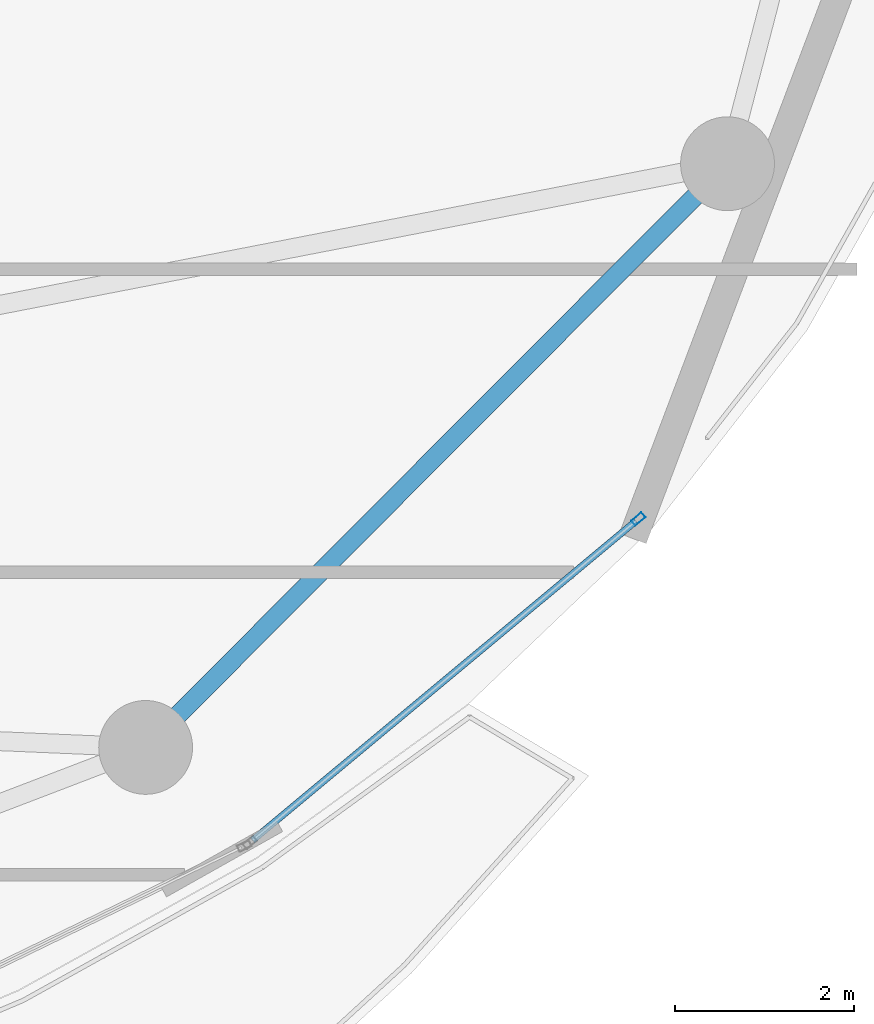
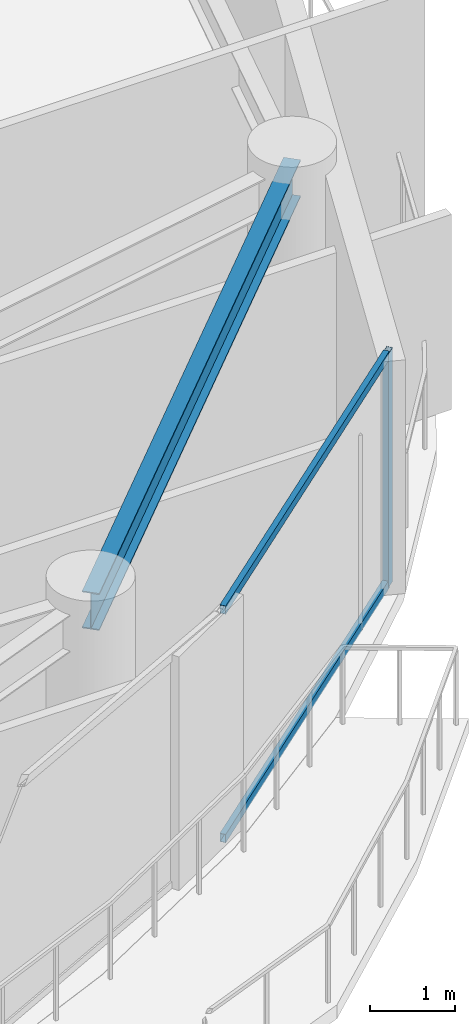
# One storey, part 14 of 31: 3 members, 1 beam, 1 element without a shape of its own.
"""IFC4 building model written with IfcOpenShell, lengths in metres."""

import ifcopenshell
import ifcopenshell.guid

model = None  # the IFC model being written
_history = None  # IfcOwnerHistory: only IFC2X3 demands one
_inside = {}  # id of a spatial element -> (the spatial element, [elements in it])
_under = {}  # id of a project, library or spatial element -> (it, [spatial elements below it])
_declared = {}  # id of a project -> (the project, [libraries it declares])
_typed = {}  # id of a type object -> (the type object, [elements of that type])
_made_of = {}  # id of a material, layer set ... -> (it, [elements and type objects made of it])


def new_model(schema):
    """Start an empty IFC model of exactly this schema.

    Asked for "IFC4X3", IfcOpenShell would pick the latest addendum, in which some entities
    have other attributes; the version numbers below select the first issue.
    IFC2X3 requires an IfcOwnerHistory on every rooted entity: one is made here for all.
    """
    global model, _history
    if schema == "IFC4X3":
        model = ifcopenshell.file(schema_version=(4, 3, 0, 0))
    else:
        model = ifcopenshell.file(schema=schema)
    _inside.clear()
    _under.clear()
    _declared.clear()
    _typed.clear()
    _made_of.clear()
    _history = None
    if model.schema == "IFC2X3":
        org = make("IfcOrganization", Name="unknown")
        user = make(
            "IfcPersonAndOrganization",
            ThePerson=make("IfcPerson", FamilyName="unknown"),
            TheOrganization=org,
        )
        app = make(
            "IfcApplication",
            ApplicationDeveloper=org,
            Version="unknown",
            ApplicationFullName="unknown",
            ApplicationIdentifier="unknown",
        )
        _history = make(
            "IfcOwnerHistory",
            OwningUser=user,
            OwningApplication=app,
            ChangeAction="ADDED",
            CreationDate=0,
        )
    return model


def make(cls, **values):
    """One entity of the class cls with the attributes given. An attribute that is None is left unset."""
    return model.create_entity(
        cls, **{name: value for name, value in values.items() if value is not None}
    )


def rooted(cls, **values):
    """An entity with a GlobalId (a new one), such as an element, a storey or a relation."""
    return make(cls, GlobalId=ifcopenshell.guid.new(), OwnerHistory=_history, **values)


def si_unit(unit_type, name, prefix=None):
    """IfcSIUnit, for example si_unit("LENGTHUNIT", "METRE", prefix="MILLI")."""
    return make("IfcSIUnit", UnitType=unit_type, Prefix=prefix, Name=name)


def assignment(units):
    """IfcUnitAssignment: the units of a project."""
    return None if units is None else make("IfcUnitAssignment", Units=units)


def point(xyz):
    """IfcCartesianPoint."""
    return None if xyz is None else make("IfcCartesianPoint", Coordinates=xyz)


def direction(xyz):
    """IfcDirection."""
    return None if xyz is None else make("IfcDirection", DirectionRatios=xyz)


def frame(location, z_axis=None, x_axis=None):
    """IfcAxis2Placement3D, a coordinate frame: its origin and axes. An axis left out is left unset."""
    return make(
        "IfcAxis2Placement3D",
        Location=point(location),
        Axis=direction(z_axis),
        RefDirection=direction(x_axis),
    )


def frame_2d(location, x_axis=None):
    """IfcAxis2Placement2D, a coordinate frame in the plane: its origin and x axis."""
    return make(
        "IfcAxis2Placement2D", Location=point(location), RefDirection=direction(x_axis)
    )


def origin():
    """The frame at (0, 0, 0) with its axes left unset."""
    return frame((0.0, 0.0, 0.0))


def origin_2d():
    """The frame at (0, 0) in the plane with its x axis left unset."""
    return frame_2d((0.0, 0.0))


def place(relative_to, where):
    """IfcLocalPlacement: puts the frame where relative to a parent placement (None: the world)."""
    return make(
        "IfcLocalPlacement", PlacementRelTo=relative_to, RelativePlacement=where
    )


def context(
    kind, dimensions, precision=None, world=None, true_north=None, identifier=None
):
    """IfcGeometricRepresentationContext, for example the 3D "Model" context."""
    return make(
        "IfcGeometricRepresentationContext",
        ContextIdentifier=identifier,
        ContextType=kind,
        CoordinateSpaceDimension=dimensions,
        Precision=precision,
        WorldCoordinateSystem=world,
        TrueNorth=true_north,
    )


def subcontext(parent, identifier, kind, view, scale=None):
    """IfcGeometricRepresentationSubContext, for example "Body" below "Model"."""
    return make(
        "IfcGeometricRepresentationSubContext",
        ContextIdentifier=identifier,
        ContextType=kind,
        ParentContext=parent,
        TargetScale=scale,
        TargetView=view,
    )


def project(units=None, contexts=None):
    """IfcProject with its units and contexts."""
    return rooted(
        "IfcProject",
        Name="project",
        RepresentationContexts=contexts,
        UnitsInContext=assignment(units),
    )


def spatial(cls, under=None, at=None, **own):
    """A site, building, storey or space (cls), placed at a placement, below another one or the project."""
    s = rooted(cls, ObjectPlacement=at, **own)
    if under is not None:
        _under.setdefault(under.id(), (under, []))[1].append(s)
    return s


def profile(cls, at=None, kind="AREA", **sizes):
    """A parametric profile (cls). Its sizes go by their IFC names, for example OverallWidth=200.0."""
    return make(cls, ProfileType=kind, Position=at, **sizes)


def hollow_rectangle(**sizes):
    """IfcRectangleHollowProfileDef."""
    return profile("IfcRectangleHollowProfileDef", **sizes)


def i_section(**sizes):
    """IfcIShapeProfileDef."""
    return profile("IfcIShapeProfileDef", **sizes)


def extrude(swept, where, along, depth):
    """IfcExtrudedAreaSolid: the profile swept, set in the frame where, extruded along a direction by depth."""
    return make(
        "IfcExtrudedAreaSolid",
        SweptArea=swept,
        Position=where,
        ExtrudedDirection=direction(along),
        Depth=depth,
    )


def shape(context_of_items, identifier, shape_type, items):
    """IfcShapeRepresentation: the items that make up one representation, for example the "Body"."""
    return make(
        "IfcShapeRepresentation",
        ContextOfItems=context_of_items,
        RepresentationIdentifier=identifier,
        RepresentationType=shape_type,
        Items=items,
    )


def material(Name=None, Category=None):
    """IfcMaterial."""
    return make("IfcMaterial", Name=Name, Category=Category)


def layer(
    of_material, thickness, ventilated=None, Name=None, Category=None, Priority=None
):
    """IfcMaterialLayer: one layer of a wall or slab, of a material (None: an air gap)."""
    return make(
        "IfcMaterialLayer",
        Material=of_material,
        LayerThickness=thickness,
        IsVentilated=ventilated,
        Name=Name,
        Category=Category,
        Priority=Priority,
    )


def layer_set(layers, Name=None):
    """IfcMaterialLayerSet."""
    return make("IfcMaterialLayerSet", MaterialLayers=layers, LayerSetName=Name)


def material_profile(
    of_material, cross_section, Name=None, Category=None, Priority=None
):
    """IfcMaterialProfile: a cross section and its material."""
    return make(
        "IfcMaterialProfile",
        Name=Name,
        Material=of_material,
        Profile=cross_section,
        Priority=Priority,
        Category=Category,
    )


def profile_set(profiles, Name=None, composite=None):
    """IfcMaterialProfileSet."""
    return make(
        "IfcMaterialProfileSet",
        Name=Name,
        MaterialProfiles=profiles,
        CompositeProfile=composite,
    )


def made_of(thing, what):
    """Note that an element or type object is made of a material, layer set ...; save() writes the relation."""
    if what is not None:
        _made_of.setdefault(what.id(), (what, []))[1].append(thing)
    return thing


def type_object(cls, material=None, **own):
    """A type object (cls), such as IfcWallType, which elements share."""
    return made_of(rooted(cls, **own), material)


def element(
    cls,
    number,
    at=None,
    inside=None,
    cuts=None,
    type_object=None,
    material=None,
    context=None,
    identifier="Body",
    shape_type=None,
    held_by="IfcProductDefinitionShape",
    body=None,
    shapes=None,
    **own,
):
    """One element of the class cls, such as IfcWall. Its Tag is "e" and its number.

    at: its placement. inside: the storey or other place that contains it. cuts: it is an
    opening in that element (IfcRelVoidsElement). A single representation is given by context,
    identifier, shape_type and body (its items); several are given by shapes. held_by: the class
    of the entity that holds the representations. save() writes the other relations.
    """
    e = rooted(cls, Tag="e%d" % number, ObjectPlacement=at, **own)
    if body is not None:
        shapes = [shape(context, identifier, shape_type, body)]
    if shapes is not None:
        e.Representation = make(held_by, Representations=shapes)
    if inside is not None:
        _inside.setdefault(inside.id(), (inside, []))[1].append(e)
    if cuts is not None:
        rooted(
            "IfcRelVoidsElement", RelatingBuildingElement=cuts, RelatedOpeningElement=e
        )
    if type_object is not None:
        _typed.setdefault(type_object.id(), (type_object, []))[1].append(e)
    return made_of(e, material)


def aggregate(whole, parts):
    """IfcRelAggregates: a whole, such as a stair, and the parts it consists of."""
    return rooted("IfcRelAggregates", RelatingObject=whole, RelatedObjects=parts)


def save(model, path):
    """Write the relations noted so far, then the file.

    IfcRelAggregates (storeys below a building ...), IfcRelContainedInSpatialStructure (elements
    in a storey), IfcRelDefinesByType, IfcRelAssociatesMaterial and IfcRelDeclares: one each for
    every whole, place, type object, material and project.
    """
    for whole, parts in _under.values():
        aggregate(whole, parts)
    for where, things in _inside.values():
        rooted(
            "IfcRelContainedInSpatialStructure",
            RelatedElements=things,
            RelatingStructure=where,
        )
    for kind, things in _typed.values():
        rooted("IfcRelDefinesByType", RelatedObjects=things, RelatingType=kind)
    for what, things in _made_of.values():
        rooted("IfcRelAssociatesMaterial", RelatedObjects=things, RelatingMaterial=what)
    for by, libraries in _declared.values():
        rooted("IfcRelDeclares", RelatingContext=by, RelatedDefinitions=libraries)
    model.write(path)


model = new_model("IFC4")

# Units and contexts
model_context = context("Model", 3, precision=1e-05, world=origin(), true_north=direction((0.0, 1.0)))
body_context = subcontext(model_context, "Body", "Model", "MODEL_VIEW")
ifc_project = project(units=[si_unit("LENGTHUNIT", "METRE"), si_unit("AREAUNIT", "SQUARE_METRE"), si_unit("VOLUMEUNIT", "CUBIC_METRE"), si_unit("PLANEANGLEUNIT", "RADIAN"), si_unit("MASSUNIT", "GRAM", prefix="KILO")], contexts=[model_context])

# Site, building, storey
site_placement = place(None, origin())
site = spatial("IfcSite", under=ifc_project, at=site_placement, CompositionType="ELEMENT")
building_placement = place(site_placement, origin())
building = spatial("IfcBuilding", under=site, at=building_placement, Name="Kazevale Care Tower and Concert Hall", CompositionType="ELEMENT")
storey_placement = place(building_placement, frame((0.0, 0.0, 206.39990234375)))
storey = spatial("IfcBuildingStorey", under=building, at=storey_placement, Name="L54", CompositionType="ELEMENT", Elevation=206.39990234375)

# Curtain wall, members
ifc_material_1 = material(Name="Aluminium 6063-T6 and Low-E Glass", Category="aluminium")
ifc_layer = layer(ifc_material_1, 0.179931640625)
ifc_layer_set = layer_set([ifc_layer], Name="Aluminium 6063-T6 and Low-E Glass")
curtain_wall_type = type_object("IfcCurtainWallType", Name="Sheltered Concave Balcony Curtain Wall CW-5", PredefinedType="NOTDEFINED", material=ifc_layer_set)
curtain_wall_placement = place(storey_placement, origin())
curtain_wall = element("IfcCurtainWall", 1, at=curtain_wall_placement, inside=storey, type_object=curtain_wall_type, Name="cw:L54:f02", PredefinedType="NOTDEFINED")
ifc_material_2 = material(Name="Aluminium 6063-T6", Category="aluminium")
ifc_material_profile_1 = material_profile(ifc_material_2, hollow_rectangle(XDim=0.074951171875, YDim=0.14990234375, WallThickness=0.00390625, at=origin_2d()), Name="ALU75x150x4")
ifc_profile_set_1 = profile_set([ifc_material_profile_1], Name="Aluminium 6063-T6")
member_type_1 = type_object("IfcMemberType", Name="CW-5 Mullion ALU75x150x4", PredefinedType="MULLION", material=ifc_profile_set_1)
member_1_placement = place(storey_placement, frame((71.76318359375, 25.2060546875, 0.0), z_axis=(0.0, 0.0, 1.0), x_axis=(0.639961217204, -0.768407210062, 0.0)))
member_1 = element("IfcMember", 2, at=member_1_placement, type_object=member_type_1, Name="CW-5 mullion 1", PredefinedType="MULLION", context=body_context, shape_type="SweptSolid", body=[
    extrude(hollow_rectangle(XDim=0.074951171875, YDim=0.14990234375, WallThickness=0.00390625, at=origin_2d()), origin(), (0.0, 0.0, 1.0), 3.360107421875),
])
ifc_material_profile_2 = material_profile(ifc_material_2, hollow_rectangle(XDim=0.074951171875, YDim=0.1201171875, WallThickness=0.00390625, at=origin_2d()), Name="ALU75x120x4")
ifc_profile_set_2 = profile_set([ifc_material_profile_2], Name="Aluminium 6063-T6")
member_type_2 = type_object("IfcMemberType", Name="CW-5 Transom ALU75x120x4", PredefinedType="USERDEFINED", material=ifc_profile_set_2)
member_2_placement = place(storey_placement, frame((71.734375, 25.181884765625, 0.03759765625), z_axis=(-0.768432829708, -0.639930454211, 0.0), x_axis=(0.639930454211, -0.768432829708, 0.0)))
member_2 = element("IfcMember", 3, at=member_2_placement, type_object=member_type_2, Name="CW-5 transom 1.1", ObjectType="TRANSOM", PredefinedType="USERDEFINED", context=body_context, shape_type="SweptSolid", body=[
    extrude(hollow_rectangle(XDim=0.074951171875, YDim=0.1201171875, WallThickness=0.00390625, at=origin_2d()), origin(), (0.0, 0.0, 1.0), 5.580078125),
])
member_3_placement = place(storey_placement, frame((71.734375, 25.181884765625, 3.322509765625), z_axis=(-0.768432829708, -0.639930454211, 0.0), x_axis=(0.639930454211, -0.768432829708, 0.0)))
member_3 = element("IfcMember", 4, at=member_3_placement, type_object=member_type_2, Name="CW-5 transom 1.2", ObjectType="TRANSOM", PredefinedType="USERDEFINED", context=body_context, shape_type="SweptSolid", body=[
    extrude(hollow_rectangle(XDim=0.074951171875, YDim=0.1201171875, WallThickness=0.00390625, at=origin_2d()), origin(), (0.0, 0.0, 1.0), 5.580078125),
])
aggregate(curtain_wall, [member_1, member_2, member_3])

# Beam
ifc_material_3 = material(Name="Steel ASTM A572 Gr 50", Category="steel")
ifc_material_profile_3 = material_profile(ifc_material_3, i_section(OverallWidth=0.208984375, OverallDepth=0.532958984375, WebThickness=0.01025390625, FlangeThickness=0.015625, at=origin_2d()), Name="W530x92")
ifc_profile_set_3 = profile_set([ifc_material_profile_3], Name="Steel ASTM A572 Gr 50")
beam_type = type_object("IfcBeamType", Name="Upper Ring Beam W530x92", PredefinedType="BEAM", material=ifc_profile_set_3)
beam_placement = place(storey_placement, frame((66.25, 22.64990234375, 3.093505859375), z_axis=(0.706020373708, 0.708191522054, 0.0), x_axis=(-0.708191522054, 0.706020373708, 0.0)))
element("IfcBeam", 5, at=beam_placement, inside=storey, type_object=beam_type, Name="beam:L54:ring:15", PredefinedType="BEAM", context=body_context, shape_type="SweptSolid", body=[
    extrude(i_section(OverallWidth=0.208984375, OverallDepth=0.532958984375, WebThickness=0.01025390625, FlangeThickness=0.015625, at=origin_2d()), origin(), (0.0, 0.0, 1.0), 9.220703125),
])

save(model, "model.ifc")
